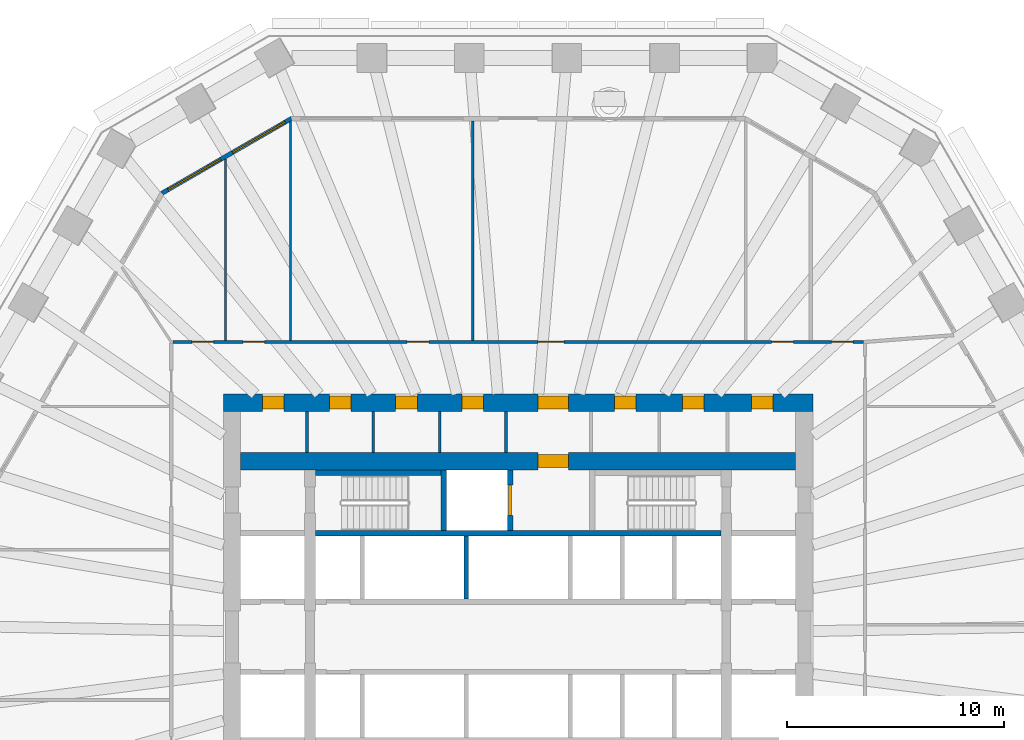
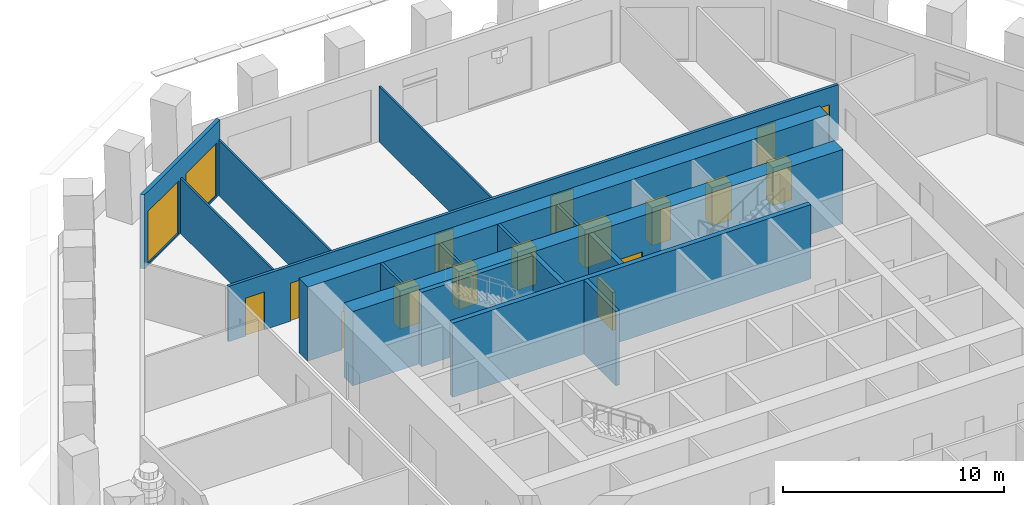
# One storey, part 7 of 13: 16 doors, 16 walls, 2 windows, 18 openings.
"""IFC4 building model written with IfcOpenShell, lengths in metres."""

from ifc_helpers import new_model, si_unit, direction, frame, frame_2d, origin, place, context, subcontext, project, spatial, polyline, rectangle, outline, extrude, material, layer, layer_set, type_object, element, fill, save


model = new_model("IFC4")

# Units and contexts
model_context = context("Model", 3, precision=1e-05, world=origin(), true_north=direction((0.0, 1.0)))
body_context = subcontext(model_context, "Body", "Model", "MODEL_VIEW")
ifc_project = project(units=[si_unit("LENGTHUNIT", "METRE"), si_unit("AREAUNIT", "SQUARE_METRE"), si_unit("VOLUMEUNIT", "CUBIC_METRE"), si_unit("PLANEANGLEUNIT", "RADIAN"), si_unit("MASSUNIT", "GRAM", prefix="KILO")], contexts=[model_context])

# Site, building, storey
site_placement = place(None, origin())
site = spatial("IfcSite", under=ifc_project, at=site_placement, CompositionType="ELEMENT")
building_placement = place(site_placement, origin())
building = spatial("IfcBuilding", under=site, at=building_placement, Name="Frailejon Research Tower", CompositionType="ELEMENT")
storey_placement = place(building_placement, frame((0.0, 0.0, 98.39990234375)))
storey = spatial("IfcBuildingStorey", under=building, at=storey_placement, Name="L21", CompositionType="ELEMENT", Elevation=98.39990234375)

# Walls
ifc_material_1 = material(Name="Plasterboard on steel studs", Category="steel")
ifc_layer_1 = layer(ifc_material_1, 0.125)
ifc_layer_set_1 = layer_set([ifc_layer_1], Name="Core partition 125")
wall_type_1 = type_object("IfcWallType", Name="Core partition 125", PredefinedType="PARTITIONING", material=ifc_layer_set_1)
for number, where, z_axis, x_axis, name in (
    (1, (-9.740478515625, 8.5, 0.0), (0.0, 0.0, 1.0), (0.0, 1.0, 0.0), "Core partition"),
    (2, (-6.68115234375, 8.5, 0.0), (0.0, 0.0, 1.0), (0.0, 1.0, 0.0), "Core partition"),
    (3, (-3.621826171875, 8.5, 0.0), (0.0, 0.0, 1.0), (0.0, 1.0, 0.0), "Core partition"),
    (4, (-0.5625, 8.5, 0.0), (0.0, 0.0, 1.0), (0.0, 1.0, 0.0), "Core partition"),
):
    element("IfcWall", number, at=place(storey_placement, frame(where, z_axis=z_axis, x_axis=x_axis)), inside=storey, type_object=wall_type_1, Name=name, PredefinedType="PARTITIONING", context=body_context, shape_type="SweptSolid", body=[
        extrude(rectangle(XDim=1.89990234375, YDim=0.125, at=frame_2d((0.949951171875, 0.0))), origin(), (0.0, 0.0, 1.0), 4.10009765625),
    ])

# Wall, openings, doors
ifc_material_2 = material(Name="Concrete C70/85", Category="concrete")
ifc_layer_2 = layer(ifc_material_2, 0.800048828125)
ifc_layer_set_2 = layer_set([ifc_layer_2], Name="Core shear wall 800 C70/85")
wall_type_2 = type_object("IfcWallType", Name="Core shear wall 800 C70/85", PredefinedType="SHEAR", material=ifc_layer_set_2)
wall_1_placement = place(storey_placement, frame((-13.60009765625, 10.800048828125, 0.0), z_axis=(0.0, 0.0, 1.0), x_axis=(1.0, 0.0, 0.0)))
wall_1 = element("IfcWall", 5, at=wall_1_placement, inside=storey, type_object=wall_type_2, Name="Core shear wall", PredefinedType="SHEAR", context=body_context, shape_type="SweptSolid", body=[
    extrude(rectangle(XDim=27.2001953125, YDim=0.800048828125, at=frame_2d((13.60009765625, 0.0))), origin(), (0.0, 0.0, 1.0), 4.10009765625),
])
opening_1_placement = place(wall_1_placement, frame((1.79833984375, 0.0, 0.0)))
opening_1 = element("IfcOpeningElement", 6, at=opening_1_placement, cuts=wall_1, Name="Opening D4", PredefinedType="OPENING", context=body_context, shape_type="SweptSolid", body=[
    extrude(rectangle(XDim=1.0, YDim=2.10009765625, at=frame_2d((0.5, 1.050048828125))), frame((0.0, 0.409912109375, 0.0), z_axis=(0.0, -1.0, 0.0), x_axis=(1.0, 0.0, 0.0)), (0.0, 0.0, 1.0), 0.820068359375),
])
opening_2_placement = place(wall_1_placement, frame((4.88916015625, 0.0, 0.0)))
opening_2 = element("IfcOpeningElement", 7, at=opening_2_placement, cuts=wall_1, Name="Opening D4", PredefinedType="OPENING", context=body_context, shape_type="SweptSolid", body=[
    extrude(rectangle(XDim=1.0, YDim=2.10009765625, at=frame_2d((0.5, 1.050048828125))), frame((0.0, 0.409912109375, 0.0), z_axis=(0.0, -1.0, 0.0), x_axis=(1.0, 0.0, 0.0)), (0.0, 0.0, 1.0), 0.820068359375),
])
opening_3_placement = place(wall_1_placement, frame((7.948486328125, 0.0, 0.0)))
opening_3 = element("IfcOpeningElement", 8, at=opening_3_placement, cuts=wall_1, Name="Opening D4", PredefinedType="OPENING", context=body_context, shape_type="SweptSolid", body=[
    extrude(rectangle(XDim=1.0, YDim=2.10009765625, at=frame_2d((0.5, 1.050048828125))), frame((0.0, 0.409912109375, 0.0), z_axis=(0.0, -1.0, 0.0), x_axis=(1.0, 0.0, 0.0)), (0.0, 0.0, 1.0), 0.820068359375),
])
opening_4_placement = place(wall_1_placement, frame((11.0078125, 0.0, 0.0)))
opening_4 = element("IfcOpeningElement", 9, at=opening_4_placement, cuts=wall_1, Name="Opening D4", PredefinedType="OPENING", context=body_context, shape_type="SweptSolid", body=[
    extrude(rectangle(XDim=1.0, YDim=2.10009765625, at=frame_2d((0.5, 1.050048828125))), frame((0.0, 0.409912109375, 0.0), z_axis=(0.0, -1.0, 0.0), x_axis=(1.0, 0.0, 0.0)), (0.0, 0.0, 1.0), 0.820068359375),
])
opening_5_placement = place(wall_1_placement, frame((18.035400390625, 0.0, 0.0)))
opening_5 = element("IfcOpeningElement", 10, at=opening_5_placement, cuts=wall_1, Name="Opening D4", PredefinedType="OPENING", context=body_context, shape_type="SweptSolid", body=[
    extrude(rectangle(XDim=1.0, YDim=2.10009765625, at=frame_2d((0.5, 1.050048828125))), frame((0.0, 0.409912109375, 0.0), z_axis=(0.0, -1.0, 0.0), x_axis=(1.0, 0.0, 0.0)), (0.0, 0.0, 1.0), 0.820068359375),
])
opening_6_placement = place(wall_1_placement, frame((21.18115234375, 0.0, 0.0)))
opening_6 = element("IfcOpeningElement", 11, at=opening_6_placement, cuts=wall_1, Name="Opening D4", PredefinedType="OPENING", context=body_context, shape_type="SweptSolid", body=[
    extrude(rectangle(XDim=1.0, YDim=2.10009765625, at=frame_2d((0.5, 1.050048828125))), frame((0.0, 0.409912109375, 0.0), z_axis=(0.0, -1.0, 0.0), x_axis=(1.0, 0.0, 0.0)), (0.0, 0.0, 1.0), 0.820068359375),
])
opening_7_placement = place(wall_1_placement, frame((24.3583984375, 0.0, 0.0)))
opening_7 = element("IfcOpeningElement", 12, at=opening_7_placement, cuts=wall_1, Name="Opening D4", PredefinedType="OPENING", context=body_context, shape_type="SweptSolid", body=[
    extrude(rectangle(XDim=1.0, YDim=2.10009765625, at=frame_2d((0.5, 1.050048828125))), frame((0.0, 0.409912109375, 0.0), z_axis=(0.0, -1.0, 0.0), x_axis=(1.0, 0.0, 0.0)), (0.0, 0.0, 1.0), 0.820068359375),
])
opening_8_placement = place(wall_1_placement, frame((14.52490234375, 0.0, 0.0)))
opening_8 = element("IfcOpeningElement", 13, at=opening_8_placement, cuts=wall_1, Name="Opening D9", PredefinedType="OPENING", context=body_context, shape_type="SweptSolid", body=[
    extrude(rectangle(XDim=1.39990234375, YDim=2.10009765625, at=frame_2d((0.699951171875, 1.050048828125))), frame((0.0, 0.409912109375, 0.0), z_axis=(0.0, -1.0, 0.0), x_axis=(1.0, 0.0, 0.0)), (0.0, 0.0, 1.0), 0.820068359375),
])
ifc_material_3 = material(Name="Steel", Category="steel")
door_type_1 = type_object("IfcDoorType", Name="Goods lobby door", OperationType="DOUBLE_DOOR_SINGLE_SWING", PredefinedType="DOOR", material=ifc_material_3)
door_1_placement = place(opening_8_placement, origin())
door_1 = element("IfcDoor", 14, at=door_1_placement, inside=storey, type_object=door_type_1, Name="Passage door", OperationType="DOUBLE_DOOR_SINGLE_SWING", OverallHeight=2.10009765625, OverallWidth=1.39990234375, PredefinedType="DOOR", context=body_context, shape_type="SweptSolid", body=[
    extrude(rectangle(XDim=1.39990234375, YDim=2.10009765625, at=frame_2d((0.699951171875, 1.050048828125))), frame((0.0, 0.300048828125, 0.0), z_axis=(0.0, -1.0, 0.0), x_axis=(1.0, 0.0, 0.0)), (0.0, 0.0, 1.0), 0.60009765625),
])
fill(opening_8, door_1)
ifc_material_4 = material(Name="Steel", Category="steel")
door_type_2 = type_object("IfcDoorType", Name="Service door", OperationType="SINGLE_SWING_LEFT", PredefinedType="DOOR", material=ifc_material_4)
door_2_placement = place(opening_1_placement, origin())
door_2 = element("IfcDoor", 15, at=door_2_placement, inside=storey, type_object=door_type_2, Name="Room door", OperationType="SINGLE_SWING_RIGHT", OverallHeight=2.10009765625, OverallWidth=1.0, PredefinedType="DOOR", context=body_context, shape_type="SweptSolid", body=[
    extrude(rectangle(XDim=1.0, YDim=2.10009765625, at=frame_2d((0.5, 1.050048828125))), frame((0.0, 0.300048828125, 0.0), z_axis=(0.0, -1.0, 0.0), x_axis=(1.0, 0.0, 0.0)), (0.0, 0.0, 1.0), 0.60009765625),
])
fill(opening_1, door_2)
door_3_placement = place(opening_2_placement, origin())
door_3 = element("IfcDoor", 16, at=door_3_placement, inside=storey, type_object=door_type_2, Name="Room door", OperationType="SINGLE_SWING_LEFT", OverallHeight=2.10009765625, OverallWidth=1.0, PredefinedType="DOOR", context=body_context, shape_type="SweptSolid", body=[
    extrude(rectangle(XDim=1.0, YDim=2.10009765625, at=frame_2d((0.5, 1.050048828125))), frame((0.0, 0.300048828125, 0.0), z_axis=(0.0, -1.0, 0.0), x_axis=(1.0, 0.0, 0.0)), (0.0, 0.0, 1.0), 0.60009765625),
])
fill(opening_2, door_3)
door_4_placement = place(opening_3_placement, origin())
door_4 = element("IfcDoor", 17, at=door_4_placement, inside=storey, type_object=door_type_2, Name="Room door", OperationType="SINGLE_SWING_RIGHT", OverallHeight=2.10009765625, OverallWidth=1.0, PredefinedType="DOOR", context=body_context, shape_type="SweptSolid", body=[
    extrude(rectangle(XDim=1.0, YDim=2.10009765625, at=frame_2d((0.5, 1.050048828125))), frame((0.0, 0.300048828125, 0.0), z_axis=(0.0, -1.0, 0.0), x_axis=(1.0, 0.0, 0.0)), (0.0, 0.0, 1.0), 0.60009765625),
])
fill(opening_3, door_4)
door_5_placement = place(opening_4_placement, origin())
door_5 = element("IfcDoor", 18, at=door_5_placement, inside=storey, type_object=door_type_2, Name="Room door", OperationType="SINGLE_SWING_LEFT", OverallHeight=2.10009765625, OverallWidth=1.0, PredefinedType="DOOR", context=body_context, shape_type="SweptSolid", body=[
    extrude(rectangle(XDim=1.0, YDim=2.10009765625, at=frame_2d((0.5, 1.050048828125))), frame((0.0, 0.300048828125, 0.0), z_axis=(0.0, -1.0, 0.0), x_axis=(1.0, 0.0, 0.0)), (0.0, 0.0, 1.0), 0.60009765625),
])
fill(opening_4, door_5)
door_6_placement = place(opening_5_placement, origin())
door_6 = element("IfcDoor", 19, at=door_6_placement, inside=storey, type_object=door_type_2, Name="Room door", OperationType="SINGLE_SWING_RIGHT", OverallHeight=2.10009765625, OverallWidth=1.0, PredefinedType="DOOR", context=body_context, shape_type="SweptSolid", body=[
    extrude(rectangle(XDim=1.0, YDim=2.10009765625, at=frame_2d((0.5, 1.050048828125))), frame((0.0, 0.300048828125, 0.0), z_axis=(0.0, -1.0, 0.0), x_axis=(1.0, 0.0, 0.0)), (0.0, 0.0, 1.0), 0.60009765625),
])
fill(opening_5, door_6)
door_7_placement = place(opening_6_placement, origin())
door_7 = element("IfcDoor", 20, at=door_7_placement, inside=storey, type_object=door_type_2, Name="Room door", OperationType="SINGLE_SWING_LEFT", OverallHeight=2.10009765625, OverallWidth=1.0, PredefinedType="DOOR", context=body_context, shape_type="SweptSolid", body=[
    extrude(rectangle(XDim=1.0, YDim=2.10009765625, at=frame_2d((0.5, 1.050048828125))), frame((0.0, 0.300048828125, 0.0), z_axis=(0.0, -1.0, 0.0), x_axis=(1.0, 0.0, 0.0)), (0.0, 0.0, 1.0), 0.60009765625),
])
fill(opening_6, door_7)
door_8_placement = place(opening_7_placement, origin())
door_8 = element("IfcDoor", 21, at=door_8_placement, inside=storey, type_object=door_type_2, Name="Room door", OperationType="SINGLE_SWING_RIGHT", OverallHeight=2.10009765625, OverallWidth=1.0, PredefinedType="DOOR", context=body_context, shape_type="SweptSolid", body=[
    extrude(rectangle(XDim=1.0, YDim=2.10009765625, at=frame_2d((0.5, 1.050048828125))), frame((0.0, 0.300048828125, 0.0), z_axis=(0.0, -1.0, 0.0), x_axis=(1.0, 0.0, 0.0)), (0.0, 0.0, 1.0), 0.60009765625),
])
fill(opening_7, door_8)

# Wall, opening, door
wall_2_placement = place(storey_placement, frame((-12.800048828125, 8.10009765625, 0.0), z_axis=(0.0, 0.0, 1.0), x_axis=(1.0, 0.0, 0.0)))
wall_2 = element("IfcWall", 22, at=wall_2_placement, inside=storey, type_object=wall_type_2, Name="Core shear wall", PredefinedType="SHEAR", context=body_context, shape_type="SweptSolid", body=[
    extrude(rectangle(XDim=25.60009765625, YDim=0.800048828125, at=frame_2d((12.800048828125, 0.0))), origin(), (0.0, 0.0, 1.0), 4.10009765625),
])
opening_9_placement = place(wall_2_placement, frame((13.72509765625, 0.0, 0.0)))
opening_9 = element("IfcOpeningElement", 23, at=opening_9_placement, cuts=wall_2, Name="Opening D9", PredefinedType="OPENING", context=body_context, shape_type="SweptSolid", body=[
    extrude(rectangle(XDim=1.39990234375, YDim=2.10009765625, at=frame_2d((0.699951171875, 1.050048828125))), frame((0.0, 0.409912109375, 0.0), z_axis=(0.0, -1.0, 0.0), x_axis=(1.0, 0.0, 0.0)), (0.0, 0.0, 1.0), 0.820068359375),
])
door_9_placement = place(opening_9_placement, origin())
door_9 = element("IfcDoor", 24, at=door_9_placement, inside=storey, type_object=door_type_1, Name="Goods lobby door", OperationType="DOUBLE_DOOR_SINGLE_SWING", OverallHeight=2.10009765625, OverallWidth=1.39990234375, PredefinedType="DOOR", context=body_context, shape_type="SweptSolid", body=[
    extrude(rectangle(XDim=1.39990234375, YDim=2.10009765625, at=frame_2d((0.699951171875, 1.050048828125))), frame((0.0, 0.300048828125, 0.0), z_axis=(0.0, -1.0, 0.0), x_axis=(1.0, 0.0, 0.0)), (0.0, 0.0, 1.0), 0.60009765625),
])
fill(opening_9, door_9)

# Wall, openings, doors
ifc_material_5 = material(Name="Gypsum board and masonry partition", Category="masonry")
ifc_layer_3 = layer(ifc_material_5, 0.14990234375)
ifc_layer_set_3 = layer_set([ifc_layer_3], Name="Corridor wall EI 60, gypsum on steel studs 150")
wall_type_3 = type_object("IfcWallType", Name="Corridor wall EI 60, gypsum on steel studs 150", PredefinedType="PARTITIONING", material=ifc_layer_set_3)
wall_3_placement = place(storey_placement, frame((-15.925048828125, 13.60009765625, 0.0), z_axis=(0.0, 0.0, 1.0), x_axis=(1.0, 0.0, 0.0)))
wall_3 = element("IfcWall", 25, at=wall_3_placement, inside=storey, type_object=wall_type_3, Name="T:IW:L21:002", PredefinedType="PARTITIONING", context=body_context, shape_type="SweptSolid", body=[
    extrude(rectangle(XDim=31.85009765625, YDim=0.14990234375, at=frame_2d((15.925048828125, 0.0))), origin(), (0.0, 0.0, 1.0), 3.050048828125),
])
opening_10_placement = place(wall_3_placement, frame((30.373779296875, 0.0, 0.0)))
opening_10 = element("IfcOpeningElement", 26, at=opening_10_placement, cuts=wall_3, Name="Opening D1553", PredefinedType="OPENING", context=body_context, shape_type="SweptSolid", body=[
    extrude(rectangle(XDim=1.0, YDim=2.10009765625, at=frame_2d((0.5, 1.050048828125))), frame((0.0, 0.0849609375, 0.0), z_axis=(0.0, -1.0, 0.0), x_axis=(1.0, 0.0, 0.0)), (0.0, 0.0, 1.0), 0.169921875),
])
opening_11_placement = place(wall_3_placement, frame((27.614990234375, 0.0, 0.0)))
opening_11 = element("IfcOpeningElement", 27, at=opening_11_placement, cuts=wall_3, Name="Opening D1554", PredefinedType="OPENING", context=body_context, shape_type="SweptSolid", body=[
    extrude(rectangle(XDim=1.0, YDim=2.10009765625, at=frame_2d((0.5, 1.050048828125))), frame((0.0, 0.0849609375, 0.0), z_axis=(0.0, -1.0, 0.0), x_axis=(1.0, 0.0, 0.0)), (0.0, 0.0, 1.0), 0.169921875),
])
opening_12_placement = place(wall_3_placement, frame((16.849609375, 0.0, 0.0)))
opening_12 = element("IfcOpeningElement", 28, at=opening_12_placement, cuts=wall_3, Name="Opening D1555", PredefinedType="OPENING", context=body_context, shape_type="SweptSolid", body=[
    extrude(rectangle(XDim=1.199951171875, YDim=2.10009765625, at=frame_2d((0.60009765625, 1.050048828125))), frame((0.0, 0.0849609375, 0.0), z_axis=(0.0, -1.0, 0.0), x_axis=(1.0, 0.0, 0.0)), (0.0, 0.0, 1.0), 0.169921875),
])
opening_13_placement = place(wall_3_placement, frame((10.802001953125, 0.0, 0.0)))
opening_13 = element("IfcOpeningElement", 29, at=opening_13_placement, cuts=wall_3, Name="Opening D1556", PredefinedType="OPENING", context=body_context, shape_type="SweptSolid", body=[
    extrude(rectangle(XDim=1.0, YDim=2.10009765625, at=frame_2d((0.5, 1.050048828125))), frame((0.0, 0.0849609375, 0.0), z_axis=(0.0, -1.0, 0.0), x_axis=(1.0, 0.0, 0.0)), (0.0, 0.0, 1.0), 0.169921875),
])
opening_14_placement = place(wall_3_placement, frame((3.23486328125, 0.0, 0.0)))
opening_14 = element("IfcOpeningElement", 30, at=opening_14_placement, cuts=wall_3, Name="Opening D1557", PredefinedType="OPENING", context=body_context, shape_type="SweptSolid", body=[
    extrude(rectangle(XDim=1.0, YDim=2.10009765625, at=frame_2d((0.5, 1.050048828125))), frame((0.0, 0.0849609375, 0.0), z_axis=(0.0, -1.0, 0.0), x_axis=(1.0, 0.0, 0.0)), (0.0, 0.0, 1.0), 0.169921875),
])
opening_15_placement = place(wall_3_placement, frame((0.878662109375, 0.0, 0.0)))
opening_15 = element("IfcOpeningElement", 31, at=opening_15_placement, cuts=wall_3, Name="Opening D1558", PredefinedType="OPENING", context=body_context, shape_type="SweptSolid", body=[
    extrude(rectangle(XDim=1.0, YDim=2.10009765625, at=frame_2d((0.5, 1.050048828125))), frame((0.0, 0.0849609375, 0.0), z_axis=(0.0, -1.0, 0.0), x_axis=(1.0, 0.0, 0.0)), (0.0, 0.0, 1.0), 0.169921875),
])
ifc_material_6 = material(Name="Timber door leaf", Category="wood")
door_type_3 = type_object("IfcDoorType", Name="Door laboratory, timber, vision panel 1000", OperationType="NOTDEFINED", PredefinedType="DOOR", material=ifc_material_6)
door_10_placement = place(opening_10_placement, origin())
door_10 = element("IfcDoor", 32, at=door_10_placement, inside=storey, type_object=door_type_3, Name="D1553", OperationType="SINGLE_SWING_LEFT", OverallHeight=2.10009765625, OverallWidth=1.0, PredefinedType="DOOR", context=body_context, shape_type="SweptSolid", body=[
    extrude(rectangle(XDim=1.0, YDim=2.10009765625, at=frame_2d((0.5, 1.050048828125))), frame((0.0, 0.02490234375, 0.0), z_axis=(0.0, -1.0, 0.0), x_axis=(1.0, 0.0, 0.0)), (0.0, 0.0, 1.0), 0.050048828125),
])
fill(opening_10, door_10)
ifc_material_7 = material(Name="Timber door leaf", Category="wood")
door_type_4 = type_object("IfcDoorType", Name="Door single leaf, timber, steel frame 1000", OperationType="NOTDEFINED", PredefinedType="DOOR", material=ifc_material_7)
door_11_placement = place(opening_11_placement, origin())
door_11 = element("IfcDoor", 33, at=door_11_placement, inside=storey, type_object=door_type_4, Name="D1554", OperationType="SINGLE_SWING_RIGHT", OverallHeight=2.10009765625, OverallWidth=1.0, PredefinedType="DOOR", context=body_context, shape_type="SweptSolid", body=[
    extrude(rectangle(XDim=1.0, YDim=2.10009765625, at=frame_2d((0.5, 1.050048828125))), frame((0.0, 0.02490234375, 0.0), z_axis=(0.0, -1.0, 0.0), x_axis=(1.0, 0.0, 0.0)), (0.0, 0.0, 1.0), 0.050048828125),
])
fill(opening_11, door_11)
door_12_placement = place(opening_13_placement, origin())
door_12 = element("IfcDoor", 34, at=door_12_placement, inside=storey, type_object=door_type_4, Name="D1556", OperationType="SINGLE_SWING_RIGHT", OverallHeight=2.10009765625, OverallWidth=1.0, PredefinedType="DOOR", context=body_context, shape_type="SweptSolid", body=[
    extrude(rectangle(XDim=1.0, YDim=2.10009765625, at=frame_2d((0.5, 1.050048828125))), frame((0.0, 0.02490234375, 0.0), z_axis=(0.0, -1.0, 0.0), x_axis=(1.0, 0.0, 0.0)), (0.0, 0.0, 1.0), 0.050048828125),
])
fill(opening_13, door_12)
door_13_placement = place(opening_14_placement, origin())
door_13 = element("IfcDoor", 35, at=door_13_placement, inside=storey, type_object=door_type_4, Name="D1557", OperationType="SINGLE_SWING_LEFT", OverallHeight=2.10009765625, OverallWidth=1.0, PredefinedType="DOOR", context=body_context, shape_type="SweptSolid", body=[
    extrude(rectangle(XDim=1.0, YDim=2.10009765625, at=frame_2d((0.5, 1.050048828125))), frame((0.0, 0.02490234375, 0.0), z_axis=(0.0, -1.0, 0.0), x_axis=(1.0, 0.0, 0.0)), (0.0, 0.0, 1.0), 0.050048828125),
])
fill(opening_14, door_13)
door_14_placement = place(opening_15_placement, origin())
door_14 = element("IfcDoor", 36, at=door_14_placement, inside=storey, type_object=door_type_4, Name="D1558", OperationType="SINGLE_SWING_LEFT", OverallHeight=2.10009765625, OverallWidth=1.0, PredefinedType="DOOR", context=body_context, shape_type="SweptSolid", body=[
    extrude(rectangle(XDim=1.0, YDim=2.10009765625, at=frame_2d((0.5, 1.050048828125))), frame((0.0, 0.02490234375, 0.0), z_axis=(0.0, -1.0, 0.0), x_axis=(1.0, 0.0, 0.0)), (0.0, 0.0, 1.0), 0.050048828125),
])
fill(opening_15, door_14)
ifc_material_8 = material(Name="Timber door leaf", Category="wood")
door_type_5 = type_object("IfcDoorType", Name="Door single leaf, timber, steel frame 1200", OperationType="NOTDEFINED", PredefinedType="DOOR", material=ifc_material_8)
door_15_placement = place(opening_12_placement, origin())
door_15 = element("IfcDoor", 37, at=door_15_placement, inside=storey, type_object=door_type_5, Name="D1555", OperationType="DOUBLE_DOOR_SINGLE_SWING", OverallHeight=2.10009765625, OverallWidth=1.199951171875, PredefinedType="DOOR", context=body_context, shape_type="SweptSolid", body=[
    extrude(rectangle(XDim=1.199951171875, YDim=2.10009765625, at=frame_2d((0.60009765625, 1.050048828125))), frame((0.0, 0.02490234375, 0.0), z_axis=(0.0, -1.0, 0.0), x_axis=(1.0, 0.0, 0.0)), (0.0, 0.0, 1.0), 0.050048828125),
])
fill(opening_12, door_15)

# Walls
ifc_material_9 = material(Name="Gypsum board and masonry partition", Category="masonry")
ifc_layer_4 = layer(ifc_material_9, 0.10009765625)
ifc_layer_set_4 = layer_set([ifc_layer_4], Name="Partition, gypsum on steel studs 100")
wall_type_4 = type_object("IfcWallType", Name="Partition, gypsum on steel studs 100", PredefinedType="PARTITIONING", material=ifc_layer_set_4)
wall_4_placement = place(storey_placement, frame((-2.09912109375, 13.675048828125, 0.0), z_axis=(0.0, 0.0, 1.0), x_axis=(0.0, 1.0, 0.0)))
element("IfcWall", 38, at=wall_4_placement, inside=storey, type_object=wall_type_4, Name="T:IW:L21:015", PredefinedType="PARTITIONING", context=body_context, shape_type="SweptSolid", body=[
    extrude(rectangle(XDim=10.125, YDim=0.10009765625, at=frame_2d((5.0625, 0.0))), origin(), (0.0, 0.0, 1.0), 3.050048828125),
])
wall_5_placement = place(storey_placement, frame((-10.4951171875, 13.675048828125, 0.0), z_axis=(0.0, 0.0, 1.0), x_axis=(0.0, 1.0, 0.0)))
element("IfcWall", 39, at=wall_5_placement, inside=storey, type_object=wall_type_4, Name="T:IW:L21:016", PredefinedType="PARTITIONING", context=body_context, shape_type="SweptSolid", body=[
    extrude(rectangle(XDim=10.093994140625, YDim=0.10009765625, at=frame_2d((5.046875, 0.0))), origin(), (0.0, 0.0, 1.0), 3.050048828125),
])
wall_6_placement = place(storey_placement, frame((-13.4951171875, 13.675048828125, 0.0), z_axis=(0.0, 0.0, 1.0), x_axis=(0.0, 1.0, 0.0)))
element("IfcWall", 40, at=wall_6_placement, inside=storey, type_object=wall_type_4, Name="T:IW:L21:017", PredefinedType="PARTITIONING", context=body_context, shape_type="SweptSolid", body=[
    extrude(rectangle(XDim=8.362060546875, YDim=0.10009765625, at=frame_2d((4.18115234375, 0.0))), origin(), (0.0, 0.0, 1.0), 3.050048828125),
])
ifc_material_10 = material(Name="Concrete C70/85", Category="concrete")
ifc_layer_5 = layer(ifc_material_10, 0.199951171875)
ifc_layer_set_5 = layer_set([ifc_layer_5], Name="Shaft wall 200 C70/85")
wall_type_5 = type_object("IfcWallType", Name="Shaft wall 200 C70/85", PredefinedType="SOLIDWALL", material=ifc_layer_set_5)
wall_7_placement = place(storey_placement, frame((-2.39990234375, 1.75, 0.0), z_axis=(0.0, 0.0, 1.0), x_axis=(0.0, 1.0, 0.0)))
element("IfcWall", 41, at=wall_7_placement, inside=storey, type_object=wall_type_5, Name="Shaft wall", PredefinedType="SOLIDWALL", context=body_context, shape_type="SweptSolid", body=[
    extrude(rectangle(XDim=2.89990234375, YDim=0.199951171875, at=frame_2d((1.449951171875, 0.0))), origin(), (0.0, 0.0, 1.0), 4.10009765625),
])
ifc_material_11 = material(Name="Concrete C70/85", Category="concrete")
ifc_layer_6 = layer(ifc_material_11, 0.25)
ifc_layer_set_6 = layer_set([ifc_layer_6], Name="Shaft wall 250 C70/85")
wall_type_6 = type_object("IfcWallType", Name="Shaft wall 250 C70/85", PredefinedType="SOLIDWALL", material=ifc_layer_set_6)
wall_8_placement = place(storey_placement, frame((-9.35009765625, 4.77490234375, 0.0), z_axis=(0.0, 0.0, 1.0), x_axis=(1.0, 0.0, 0.0)))
element("IfcWall", 42, at=wall_8_placement, inside=storey, type_object=wall_type_6, Name="Shaft wall", PredefinedType="SOLIDWALL", context=body_context, shape_type="SweptSolid", body=[
    extrude(rectangle(XDim=18.7001953125, YDim=0.25, at=frame_2d((9.35009765625, 0.0))), origin(), (0.0, 0.0, 1.0), 4.10009765625),
])
wall_9_placement = place(storey_placement, frame((-9.35009765625, 7.574951171875, 0.0), z_axis=(0.0, 0.0, 1.0), x_axis=(1.0, 0.0, 0.0)))
element("IfcWall", 43, at=wall_9_placement, inside=storey, type_object=wall_type_6, Name="Shaft wall", PredefinedType="SOLIDWALL", context=body_context, shape_type="SweptSolid", body=[
    extrude(rectangle(XDim=5.800048828125, YDim=0.25, at=frame_2d((2.89990234375, 0.0))), origin(), (0.0, 0.0, 1.0), 4.10009765625),
])
wall_10_placement = place(storey_placement, frame((-3.425048828125, 4.89990234375, 0.0), z_axis=(0.0, 0.0, 1.0), x_axis=(0.0, 1.0, 0.0)))
element("IfcWall", 44, at=wall_10_placement, inside=storey, type_object=wall_type_6, Name="Shaft wall", PredefinedType="SOLIDWALL", context=body_context, shape_type="SweptSolid", body=[
    extrude(rectangle(XDim=2.800048828125, YDim=0.25, at=frame_2d((1.39990234375, 0.0))), origin(), (0.0, 0.0, 1.0), 4.10009765625),
])

# Wall, opening, door
wall_11_placement = place(storey_placement, frame((-0.375, 4.89990234375, 0.0), z_axis=(0.0, 0.0, 1.0), x_axis=(0.0, 1.0, 0.0)))
wall_11 = element("IfcWall", 45, at=wall_11_placement, inside=storey, type_object=wall_type_6, Name="Shaft wall", PredefinedType="SOLIDWALL", context=body_context, shape_type="SweptSolid", body=[
    extrude(rectangle(XDim=2.800048828125, YDim=0.25, at=frame_2d((1.39990234375, 0.0))), origin(), (0.0, 0.0, 1.0), 4.10009765625),
])
opening_16_placement = place(wall_11_placement, frame((0.699951171875, 0.0, 0.0)))
opening_16 = element("IfcOpeningElement", 46, at=opening_16_placement, cuts=wall_11, Name="Opening LD2", PredefinedType="OPENING", context=body_context, shape_type="SweptSolid", body=[
    extrude(rectangle(XDim=1.39990234375, YDim=2.10009765625, at=frame_2d((0.699951171875, 1.050048828125))), frame((0.0, 0.135009765625, 0.0), z_axis=(0.0, -1.0, 0.0), x_axis=(1.0, 0.0, 0.0)), (0.0, 0.0, 1.0), 0.27001953125),
])
ifc_material_12 = material(Name="Stainless steel", Category="steel")
door_type_6 = type_object("IfcDoorType", Name="Goods landing door", OperationType="DOUBLE_DOOR_SLIDING", PredefinedType="DOOR", material=ifc_material_12)
door_16_placement = place(opening_16_placement, origin())
door_16 = element("IfcDoor", 47, at=door_16_placement, inside=storey, type_object=door_type_6, Name="Lift landing door", OperationType="DOUBLE_DOOR_SLIDING", OverallHeight=2.10009765625, OverallWidth=1.39990234375, PredefinedType="DOOR", context=body_context, shape_type="SweptSolid", body=[
    extrude(rectangle(XDim=1.39990234375, YDim=2.10009765625, at=frame_2d((0.699951171875, 1.050048828125))), frame((0.0, 0.074951171875, 0.0), z_axis=(0.0, -1.0, 0.0), x_axis=(1.0, 0.0, 0.0)), (0.0, 0.0, 1.0), 0.14990234375),
])
fill(opening_16, door_16)

# Wall, openings, windows
ifc_material_13 = material(Name="Concrete C40/50 precast window wall panel", Category="concrete")
ifc_layer_7 = layer(ifc_material_13, 0.199951171875)
ifc_layer_set_7 = layer_set([ifc_layer_7], Name="Window wall 200")
wall_type_7 = type_object("IfcWallType", Name="Window wall 200", PredefinedType="SOLIDWALL", material=ifc_layer_set_7)
wall_12_placement = place(storey_placement, frame((-10.46826171875, 23.89990234375, 0.0), z_axis=(0.0, 0.0, 1.0), x_axis=(-0.866029458321, -0.49999297727, 0.0)))
wall_12 = element("IfcWall", 48, at=wall_12_placement, inside=storey, type_object=wall_type_7, Name="Exterior wall L21", PredefinedType="SOLIDWALL", context=body_context, shape_type="SweptSolid", body=[
    extrude(outline(polyline([(-0.02685546875, -0.10009765625), (1.1279296875, -0.10009765625), (2.282470703125, -0.10009765625), (3.437255859375, -0.10009765625), (4.592041015625, -0.10009765625), (5.74658203125, -0.10009765625), (6.9013671875, -0.10009765625), (6.84765625, 0.10009765625), (5.7109375, 0.10009765625), (4.573974609375, 0.10009765625), (3.437255859375, 0.10009765625), (2.300537109375, 0.10009765625), (1.16357421875, 0.10009765625), (0.02685546875, 0.10009765625), (-0.02685546875, -0.10009765625)])), origin(), (0.0, 0.0, 1.0), 4.10009765625),
])
opening_17_placement = place(wall_12_placement, frame((0.318603515625, 0.0, 0.10009765625)))
opening_17 = element("IfcOpeningElement", 49, at=opening_17_placement, cuts=wall_12, Name="Opening W3", PredefinedType="OPENING", context=body_context, shape_type="SweptSolid", body=[
    extrude(rectangle(XDim=2.800048828125, YDim=2.89990234375, at=frame_2d((1.39990234375, 1.449951171875))), frame((0.0, 0.10986328125, 0.0), z_axis=(0.0, -1.0, 0.0), x_axis=(1.0, 0.0, 0.0)), (0.0, 0.0, 1.0), 0.219970703125),
])
opening_18_placement = place(wall_12_placement, frame((3.756103515625, 0.0, 0.10009765625)))
opening_18 = element("IfcOpeningElement", 50, at=opening_18_placement, cuts=wall_12, Name="Opening W3", PredefinedType="OPENING", context=body_context, shape_type="SweptSolid", body=[
    extrude(rectangle(XDim=2.800048828125, YDim=2.89990234375, at=frame_2d((1.39990234375, 1.449951171875))), frame((0.0, 0.10986328125, 0.0), z_axis=(0.0, -1.0, 0.0), x_axis=(1.0, 0.0, 0.0)), (0.0, 0.0, 1.0), 0.219970703125),
])
ifc_material_14 = material(Name="Aluminium framed double glazing", Category="aluminium")
window_type = type_object("IfcWindowType", Name="Window 2800x2900", PartitioningType="SINGLE_PANEL", PredefinedType="WINDOW", material=ifc_material_14)
window_1_placement = place(opening_17_placement, origin())
window_1 = element("IfcWindow", 51, at=window_1_placement, inside=storey, type_object=window_type, Name="Window L21", OverallHeight=2.89990234375, OverallWidth=2.800048828125, PartitioningType="SINGLE_PANEL", PredefinedType="WINDOW", context=body_context, shape_type="SweptSolid", body=[
    extrude(rectangle(XDim=2.800048828125, YDim=2.89990234375, at=frame_2d((1.39990234375, 1.449951171875))), frame((0.0, 0.030029296875, 0.0), z_axis=(0.0, -1.0, 0.0), x_axis=(1.0, 0.0, 0.0)), (0.0, 0.0, 1.0), 0.06005859375),
])
fill(opening_17, window_1)
window_2_placement = place(opening_18_placement, origin())
window_2 = element("IfcWindow", 52, at=window_2_placement, inside=storey, type_object=window_type, Name="Window L21", OverallHeight=2.89990234375, OverallWidth=2.800048828125, PartitioningType="SINGLE_PANEL", PredefinedType="WINDOW", context=body_context, shape_type="SweptSolid", body=[
    extrude(rectangle(XDim=2.800048828125, YDim=2.89990234375, at=frame_2d((1.39990234375, 1.449951171875))), frame((0.0, 0.030029296875, 0.0), z_axis=(0.0, -1.0, 0.0), x_axis=(1.0, 0.0, 0.0)), (0.0, 0.0, 1.0), 0.06005859375),
])
fill(opening_18, window_2)

save(model, "model.ifc")
